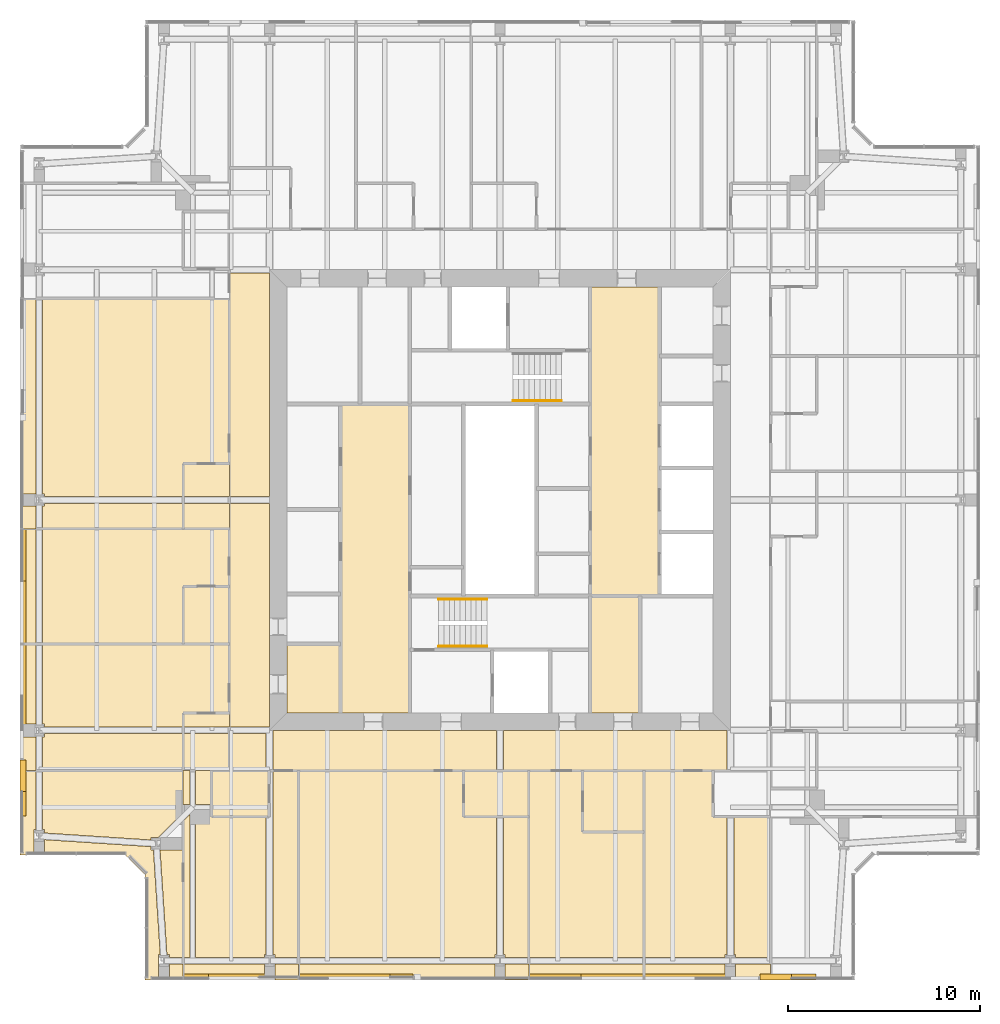
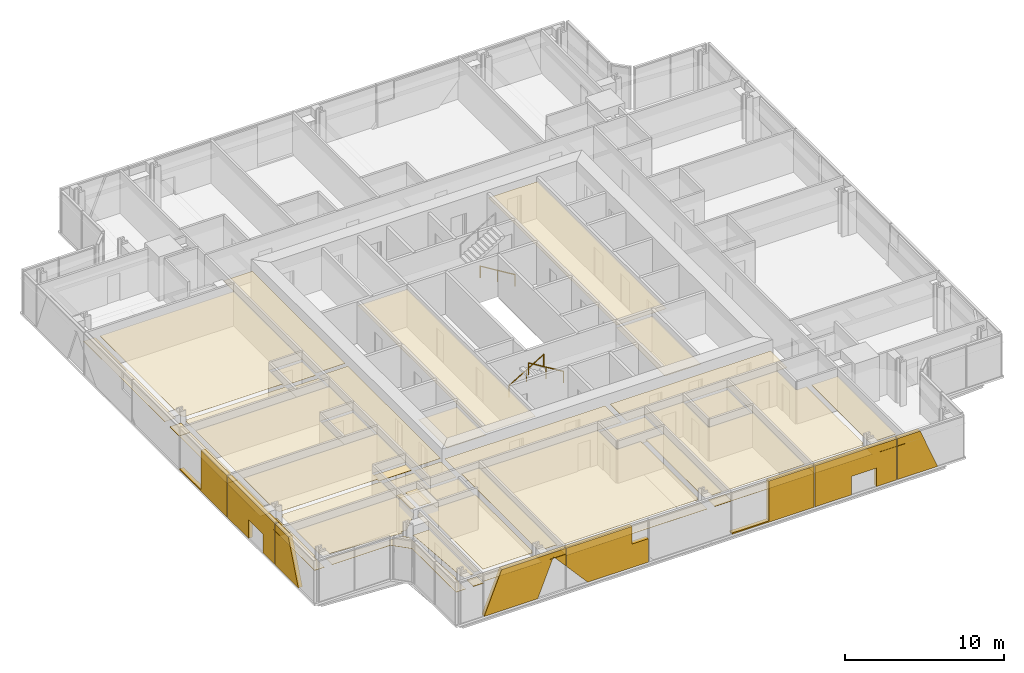
# One storey, part 16 of 18: 57 coverings, 3 railings.
"""IFC4 building model written with IfcOpenShell, lengths in metres."""

from ifc_helpers import new_model, si_unit, direction, frame, origin, origin_2d, place, context, subcontext, project, spatial, polyline, circle, outline, extrude, material, layer, layer_set, type_object, element, save


model = new_model("IFC4")

# Units and contexts
model_context = context("Model", 3, precision=1e-05, world=origin(), true_north=direction((0.0, 1.0)))
body_context = subcontext(model_context, "Body", "Model", "MODEL_VIEW")
ifc_project = project(units=[si_unit("LENGTHUNIT", "METRE"), si_unit("AREAUNIT", "SQUARE_METRE"), si_unit("VOLUMEUNIT", "CUBIC_METRE"), si_unit("PLANEANGLEUNIT", "RADIAN"), si_unit("MASSUNIT", "GRAM", prefix="KILO")], contexts=[model_context])

# Site, building, storey
site_placement = place(None, origin())
site = spatial("IfcSite", under=ifc_project, at=site_placement, CompositionType="ELEMENT")
building_placement = place(site_placement, origin())
building = spatial("IfcBuilding", under=site, at=building_placement, Name="Fenwick Lantern Interchange", CompositionType="ELEMENT")
storey_placement = place(building_placement, frame((0.0, 0.0, 262.800048828125)))
storey = spatial("IfcBuildingStorey", under=building, at=storey_placement, Name="L62", CompositionType="ELEMENT", Elevation=262.800048828125)

# Coverings
ifc_material_1 = material(Name="Granite cladding, warm grey flamed finish, on aluminium carrier frame", Category="masonry")
ifc_layer_1 = layer(ifc_material_1, 0.300048828125)
ifc_layer_set_1 = layer_set([ifc_layer_1], Name="BRACE CASING PANEL 300")
covering_type_1 = type_object("IfcCoveringType", Name="BRACE CASING PANEL 300", PredefinedType="CLADDING", material=ifc_layer_set_1)
covering_1_placement = place(storey_placement, frame((6.60009765625, 0.10009765625, 0.0), z_axis=(0.0, 0.0, 1.0), x_axis=(1.0, 0.0, 0.0)))
element("IfcCovering", 1, at=covering_1_placement, inside=storey, type_object=covering_type_1, Name="Brace casing 01 bay 01a", PredefinedType="CLADDING", context=body_context, shape_type="SweptSolid", body=[
    extrude(outline(polyline([(1.953369140625, 0.0), (5.836669921875, 0.0), (6.97705078125, 2.819580078125), (7.8701171875, 1.807373046875), (7.8701171875, 3.14990234375), (3.227294921875, 3.14990234375), (1.953369140625, 0.0)])), frame((0.0, 0.2099609375, 0.0), z_axis=(0.0, -1.0, 0.0), x_axis=(1.0, 0.0, 0.0)), (0.0, 0.0, 1.0), 0.300048828125),
])
covering_2_placement = place(storey_placement, frame((6.60009765625, 0.10009765625, 0.0), z_axis=(0.0, 0.0, 1.0), x_axis=(1.0, 0.0, 0.0)))
element("IfcCovering", 2, at=covering_2_placement, inside=storey, type_object=covering_type_1, Name="Brace casing 01 bay 02a", PredefinedType="CLADDING", context=body_context, shape_type="SweptSolid", body=[
    extrude(outline(polyline([(9.46484375, 0.0), (13.8701171875, 0.0), (13.8701171875, 1.80126953125), (12.67626953125, 1.80126953125), (12.67626953125, 3.14990234375), (7.929931640625, 3.14990234375), (7.929931640625, 1.7392578125), (9.46484375, 0.0)])), frame((0.0, 0.2099609375, 0.0), z_axis=(0.0, -1.0, 0.0), x_axis=(1.0, 0.0, 0.0)), (0.0, 0.0, 1.0), 0.300048828125),
])
covering_3_placement = place(storey_placement, frame((6.60009765625, 0.10009765625, 0.0), z_axis=(0.0, 0.0, 1.0), x_axis=(1.0, 0.0, 0.0)))
element("IfcCovering", 3, at=covering_3_placement, inside=storey, type_object=covering_type_1, Name="Brace casing 01 bay 04a", PredefinedType="CLADDING", context=body_context, shape_type="SweptSolid", body=[
    extrude(outline(polyline([(19.929931640625, 0.0), (25.8701171875, 0.0), (25.8701171875, 3.14990234375), (22.6201171875, 3.14990234375), (22.6201171875, 0.09716796875), (19.929931640625, 0.09716796875), (19.929931640625, 0.0)])), frame((0.0, 0.2099609375, 0.0), z_axis=(0.0, -1.0, 0.0), x_axis=(1.0, 0.0, 0.0)), (0.0, 0.0, 1.0), 0.300048828125),
])
covering_4_placement = place(storey_placement, frame((6.60009765625, 0.10009765625, 0.0), z_axis=(0.0, 0.0, 1.0), x_axis=(1.0, 0.0, 0.0)))
element("IfcCovering", 4, at=covering_4_placement, inside=storey, type_object=covering_type_1, Name="Brace casing 01 bay 05a", PredefinedType="CLADDING", context=body_context, shape_type="SweptSolid", body=[
    extrude(outline(polyline([(25.929931640625, 0.0), (28.585205078125, 0.0), (28.585205078125, 1.416748046875), (30.39013671875, 1.416748046875), (30.39013671875, 0.0), (31.8701171875, 0.0), (31.8701171875, 3.14990234375), (25.929931640625, 3.14990234375), (25.929931640625, 0.0)])), frame((0.0, 0.2099609375, 0.0), z_axis=(0.0, -1.0, 0.0), x_axis=(1.0, 0.0, 0.0)), (0.0, 0.0, 1.0), 0.300048828125),
])
covering_5_placement = place(storey_placement, frame((6.60009765625, 0.10009765625, 0.0), z_axis=(0.0, 0.0, 1.0), x_axis=(1.0, 0.0, 0.0)))
element("IfcCovering", 5, at=covering_5_placement, inside=storey, type_object=covering_type_1, Name="Brace casing 01 bay 06a", PredefinedType="CLADDING", context=body_context, shape_type="SweptSolid", body=[
    extrude(outline(polyline([(31.929931640625, 0.0), (34.846435546875, 0.0), (33.57275390625, 3.14990234375), (31.929931640625, 3.14990234375), (31.929931640625, 0.0)])), frame((0.0, 0.2099609375, 0.0), z_axis=(0.0, -1.0, 0.0), x_axis=(1.0, 0.0, 0.0)), (0.0, 0.0, 1.0), 0.300048828125),
])
covering_6_placement = place(storey_placement, frame((0.10009765625, 43.39990234375, 0.0), z_axis=(0.0, 0.0, 1.0), x_axis=(0.0, -1.0, 0.0)))
element("IfcCovering", 6, at=covering_6_placement, inside=storey, type_object=covering_type_1, Name="Brace casing 13 bay 04a", PredefinedType="CLADDING", context=body_context, shape_type="SweptSolid", body=[
    extrude(outline(polyline([(19.929931640625, 0.0), (25.8701171875, 0.0), (25.8701171875, 3.14990234375), (22.6201171875, 3.14990234375), (22.6201171875, 0.09716796875), (19.929931640625, 0.09716796875), (19.929931640625, 0.0)])), frame((0.0, 0.2099609375, 0.0), z_axis=(0.0, -1.0, 0.0), x_axis=(1.0, 0.0, 0.0)), (0.0, 0.0, 1.0), 0.300048828125),
])
covering_7_placement = place(storey_placement, frame((0.10009765625, 43.39990234375, 0.0), z_axis=(0.0, 0.0, 1.0), x_axis=(0.0, -1.0, 0.0)))
element("IfcCovering", 7, at=covering_7_placement, inside=storey, type_object=covering_type_1, Name="Brace casing 13 bay 05a", PredefinedType="CLADDING", context=body_context, shape_type="SweptSolid", body=[
    extrude(outline(polyline([(25.929931640625, 0.0), (28.585205078125, 0.0), (28.585205078125, 1.416748046875), (30.39013671875, 1.416748046875), (30.39013671875, 0.0), (31.8701171875, 0.0), (31.8701171875, 3.14990234375), (25.929931640625, 3.14990234375), (25.929931640625, 0.0)])), frame((0.0, 0.2099609375, 0.0), z_axis=(0.0, -1.0, 0.0), x_axis=(1.0, 0.0, 0.0)), (0.0, 0.0, 1.0), 0.300048828125),
])
covering_8_placement = place(storey_placement, frame((0.10009765625, 43.39990234375, 0.0), z_axis=(0.0, 0.0, 1.0), x_axis=(0.0, -1.0, 0.0)))
element("IfcCovering", 8, at=covering_8_placement, inside=storey, type_object=covering_type_1, Name="Brace casing 13 bay 06a", PredefinedType="CLADDING", context=body_context, shape_type="SweptSolid", body=[
    extrude(outline(polyline([(31.929931640625, 0.0), (34.846435546875, 0.0), (33.57275390625, 3.14990234375), (31.929931640625, 3.14990234375), (31.929931640625, 0.0)])), frame((0.0, 0.2099609375, 0.0), z_axis=(0.0, -1.0, 0.0), x_axis=(1.0, 0.0, 0.0)), (0.0, 0.0, 1.0), 0.300048828125),
])

# Railings
ifc_material_2 = material(Name="Stainless steel handrail", Category="steel")
railing_type = type_object("IfcRailingType", Name="HANDRAIL 900", PredefinedType="HANDRAIL", material=ifc_material_2)
railing_placement = place(storey_placement, frame((21.800048828125, 19.825927734375, 0.169921875)))
element("IfcRailing", 9, at=railing_placement, inside=storey, type_object=railing_type, Name="L62/STAIR/ST1/HR1", PredefinedType="HANDRAIL", context=body_context, shape_type="SweptSolid", body=[
    extrude(circle(Radius=0.02392578125, at=origin_2d()), frame((0.0, 0.0, 0.8759765625), z_axis=(0.85478489116, 0.0, 0.518982456201), x_axis=(0.0, 1.0, 0.0)), (0.0, 0.0, 1.0), 2.9482421875),
    extrude(circle(Radius=0.02099609375, at=origin_2d()), origin(), (0.0, 0.0, 1.0), 0.851806640625),
    extrude(circle(Radius=0.02099609375, at=origin_2d()), frame((1.260009765625, 0.0, 0.76513671875)), (0.0, 0.0, 1.0), 0.851806640625),
    extrude(circle(Radius=0.02099609375, at=origin_2d()), frame((2.52001953125, 0.0, 1.530029296875)), (0.0, 0.0, 1.0), 0.851806640625),
])
for number, where, name in (
    (10, (24.320068359375, 17.3740234375, 1.869873046875), "L62/STAIR/ST1/HR2"),
    (11, (28.199951171875, 30.174072265625, 0.169921875), "L62/STAIR/ST2/HR1"),
):
    element("IfcRailing", number, at=place(storey_placement, frame(where)), inside=storey, type_object=railing_type, Name=name, PredefinedType="HANDRAIL", context=body_context, shape_type="SweptSolid", body=[
        extrude(circle(Radius=0.02392578125, at=origin_2d()), frame((0.0, 0.0, 0.8759765625), z_axis=(-0.85478489116, 0.0, 0.518982456201), x_axis=(0.0, -1.0, 0.0)), (0.0, 0.0, 1.0), 2.9482421875),
        extrude(circle(Radius=0.02099609375, at=origin_2d()), origin(), (0.0, 0.0, 1.0), 0.851806640625),
        extrude(circle(Radius=0.02099609375, at=origin_2d()), frame((-1.260009765625, 0.0, 0.76513671875)), (0.0, 0.0, 1.0), 0.851806640625),
        extrude(circle(Radius=0.02099609375, at=origin_2d()), frame((-2.52001953125, 0.0, 1.530029296875)), (0.0, 0.0, 1.0), 0.851806640625),
    ])

# Coverings
ifc_material_3 = material(Name="Moisture resistant gypsum board on suspended frame, painted")
ifc_layer_2 = layer(ifc_material_3, 0.014892578125)
ifc_layer_set_2 = layer_set([ifc_layer_2], Name="MOISTURE RESISTANT CEILING 15")
covering_type_2 = type_object("IfcCoveringType", Name="MOISTURE RESISTANT CEILING 15", PredefinedType="CEILING", material=ifc_layer_set_2)
covering_9_placement = place(storey_placement, frame((0.0, 0.0, 2.599853515625)))
element("IfcCovering", 12, at=covering_9_placement, inside=storey, type_object=covering_type_2, Name="Men's WC ceiling", PredefinedType="CEILING", context=body_context, shape_type="SweptSolid", body=[
    extrude(outline(polyline([(29.699951171875, 13.89990234375), (32.300048828125, 13.89990234375), (32.300048828125, 20.0), (29.699951171875, 20.0), (29.699951171875, 13.89990234375)])), origin(), (0.0, 0.0, 1.0), 0.01513671875),
])
covering_10_placement = place(storey_placement, frame((0.0, 0.0, 2.599853515625)))
element("IfcCovering", 13, at=covering_10_placement, inside=storey, type_object=covering_type_2, Name="Accessible WC and shower ceiling", PredefinedType="CEILING", context=body_context, shape_type="SweptSolid", body=[
    extrude(outline(polyline([(13.89990234375, 13.89990234375), (16.699951171875, 13.89990234375), (16.699951171875, 17.5), (13.89990234375, 17.5), (13.89990234375, 13.89990234375)])), origin(), (0.0, 0.0, 1.0), 0.01513671875),
])
covering_11_placement = place(storey_placement, frame((0.0, 0.0, 2.39990234375)))
element("IfcCovering", 14, at=covering_11_placement, inside=storey, type_object=covering_type_2, Name="En-suite 6201 ceiling", PredefinedType="CEILING", context=body_context, shape_type="SweptSolid", body=[
    extrude(outline(polyline([(9.97509765625, 8.5), (12.97509765625, 8.5), (12.97509765625, 10.89990234375), (9.97509765625, 10.89990234375), (9.97509765625, 8.5)])), origin(), (0.0, 0.0, 1.0), 0.01513671875),
])
covering_12_placement = place(storey_placement, frame((0.0, 0.0, 2.39990234375)))
element("IfcCovering", 15, at=covering_12_placement, inside=storey, type_object=covering_type_2, Name="En-suite 6202 ceiling", PredefinedType="CEILING", context=body_context, shape_type="SweptSolid", body=[
    extrude(outline(polyline([(23.10009765625, 8.5), (26.5, 8.5), (26.5, 10.89990234375), (23.10009765625, 10.89990234375), (23.10009765625, 8.5)])), origin(), (0.0, 0.0, 1.0), 0.01513671875),
])
covering_13_placement = place(storey_placement, frame((0.0, 0.0, 2.39990234375)))
element("IfcCovering", 16, at=covering_13_placement, inside=storey, type_object=covering_type_2, Name="En-suite 6203 ceiling", PredefinedType="CEILING", context=body_context, shape_type="SweptSolid", body=[
    extrude(outline(polyline([(29.300048828125, 7.699951171875), (32.5, 7.699951171875), (32.5, 10.89990234375), (29.300048828125, 10.89990234375), (29.300048828125, 7.699951171875)])), origin(), (0.0, 0.0, 1.0), 0.01513671875),
])
covering_14_placement = place(storey_placement, frame((0.0, 0.0, 2.39990234375)))
element("IfcCovering", 17, at=covering_14_placement, inside=storey, type_object=covering_type_2, Name="En-suite 6214 ceiling", PredefinedType="CEILING", context=body_context, shape_type="SweptSolid", body=[
    extrude(outline(polyline([(8.5, 26.89990234375), (8.5, 25.175048828125), (10.89990234375, 25.175048828125), (10.89990234375, 26.89990234375), (8.5, 26.89990234375)])), origin(), (0.0, 0.0, 1.0), 0.01513671875),
])
covering_15_placement = place(storey_placement, frame((0.0, 0.0, 2.39990234375)))
element("IfcCovering", 18, at=covering_15_placement, inside=storey, type_object=covering_type_2, Name="En-suite 6214 ceiling", PredefinedType="CEILING", context=body_context, shape_type="SweptSolid", body=[
    extrude(outline(polyline([(10.89990234375, 23.5), (10.89990234375, 24.824951171875), (8.5, 24.824951171875), (8.5, 23.5), (10.89990234375, 23.5)])), origin(), (0.0, 0.0, 1.0), 0.01513671875),
])
covering_16_placement = place(storey_placement, frame((0.0, 0.0, 2.39990234375)))
element("IfcCovering", 19, at=covering_16_placement, inside=storey, type_object=covering_type_2, Name="En-suite 6215 ceiling", PredefinedType="CEILING", context=body_context, shape_type="SweptSolid", body=[
    extrude(outline(polyline([(8.5, 20.5), (8.5, 17.5), (10.89990234375, 17.5), (10.89990234375, 20.5), (8.5, 20.5)])), origin(), (0.0, 0.0, 1.0), 0.01513671875),
])
covering_17_placement = place(storey_placement, frame((0.0, 0.0, 2.39990234375)))
element("IfcCovering", 20, at=covering_17_placement, inside=storey, type_object=covering_type_2, Name="En-suite 6216 ceiling", PredefinedType="CEILING", context=body_context, shape_type="SweptSolid", body=[
    extrude(outline(polyline([(10.89990234375, 10.89990234375), (10.89990234375, 12.833984375), (8.5, 12.833984375), (8.5, 10.89990234375), (10.89990234375, 10.89990234375)])), origin(), (0.0, 0.0, 1.0), 0.01513671875),
])
covering_18_placement = place(storey_placement, frame((0.0, 0.0, 2.39990234375)))
element("IfcCovering", 21, at=covering_18_placement, inside=storey, type_object=covering_type_2, Name="En-suite 6216 ceiling", PredefinedType="CEILING", context=body_context, shape_type="SweptSolid", body=[
    extrude(outline(polyline([(8.5, 13.89990234375), (8.5, 13.166015625), (10.89990234375, 13.166015625), (10.89990234375, 13.89990234375), (8.5, 13.89990234375)])), origin(), (0.0, 0.0, 1.0), 0.01513671875),
])
ifc_material_4 = material(Name="Gypsum plasterboard on suspended frame, painted")
ifc_layer_3 = layer(ifc_material_4, 0.014892578125)
ifc_layer_set_3 = layer_set([ifc_layer_3], Name="PLASTERBOARD CEILING 15")
covering_type_3 = type_object("IfcCoveringType", Name="PLASTERBOARD CEILING 15", PredefinedType="CEILING", material=ifc_layer_set_3)
covering_19_placement = place(storey_placement, frame((0.0, 0.0, 2.800048828125)))
element("IfcCovering", 22, at=covering_19_placement, inside=storey, type_object=covering_type_3, Name="Lift lobby ceiling", PredefinedType="CEILING", context=body_context, shape_type="SweptSolid", body=[
    extrude(outline(polyline([(16.699951171875, 13.89990234375), (20.300048828125, 13.89990234375), (20.300048828125, 30.0), (16.699951171875, 30.0), (16.699951171875, 13.89990234375)])), origin(), (0.0, 0.0, 1.0), 0.014892578125),
])
covering_20_placement = place(storey_placement, frame((0.0, 0.0, 2.800048828125)))
element("IfcCovering", 23, at=covering_20_placement, inside=storey, type_object=covering_type_3, Name="Lift lobby ceiling", PredefinedType="CEILING", context=body_context, shape_type="SweptSolid", body=[
    extrude(outline(polyline([(33.300048828125, 36.10009765625), (29.699951171875, 36.10009765625), (29.699951171875, 20.0), (33.300048828125, 20.0), (33.300048828125, 36.10009765625)])), origin(), (0.0, 0.0, 1.0), 0.014892578125),
])
covering_21_placement = place(storey_placement, frame((0.0, 0.0, 2.57275390625)))
element("IfcCovering", 24, at=covering_21_placement, inside=storey, type_object=covering_type_3, Name="Corridor ceiling", PredefinedType="CEILING", context=body_context, shape_type="SweptSolid", body=[
    extrude(outline(polyline([(10.89990234375, 36.833984375), (10.89990234375, 25.175048828125), (13.0, 25.175048828125), (13.0, 36.833984375), (10.89990234375, 36.833984375)])), origin(), (0.0, 0.0, 1.0), 0.01513671875),
])
covering_22_placement = place(storey_placement, frame((0.0, 0.0, 2.57275390625)))
element("IfcCovering", 25, at=covering_22_placement, inside=storey, type_object=covering_type_3, Name="Corridor ceiling", PredefinedType="CEILING", context=body_context, shape_type="SweptSolid", body=[
    extrude(outline(polyline([(10.89990234375, 24.824951171875), (10.89990234375, 13.166015625), (13.0, 13.166015625), (13.0, 24.824951171875), (10.89990234375, 24.824951171875)])), origin(), (0.0, 0.0, 1.0), 0.01513671875),
])
covering_23_placement = place(storey_placement, frame((0.0, 0.0, 2.57275390625)))
element("IfcCovering", 26, at=covering_23_placement, inside=storey, type_object=covering_type_3, Name="Corridor ceiling", PredefinedType="CEILING", context=body_context, shape_type="SweptSolid", body=[
    extrude(outline(polyline([(13.183837890625, 10.89990234375), (24.816162109375, 10.89990234375), (24.816162109375, 13.0), (13.183837890625, 13.0), (13.183837890625, 10.89990234375)])), origin(), (0.0, 0.0, 1.0), 0.01513671875),
])
covering_24_placement = place(storey_placement, frame((0.0, 0.0, 2.57275390625)))
element("IfcCovering", 27, at=covering_24_placement, inside=storey, type_object=covering_type_3, Name="Corridor ceiling", PredefinedType="CEILING", context=body_context, shape_type="SweptSolid", body=[
    extrude(outline(polyline([(25.183837890625, 10.89990234375), (36.816162109375, 10.89990234375), (36.816162109375, 13.0), (25.183837890625, 13.0), (25.183837890625, 10.89990234375)])), origin(), (0.0, 0.0, 1.0), 0.01513671875),
])
covering_25_placement = place(storey_placement, frame((0.0, 0.0, 2.57275390625)))
element("IfcCovering", 28, at=covering_25_placement, inside=storey, type_object=covering_type_3, Name="Corridor ceiling", PredefinedType="CEILING", context=body_context, shape_type="SweptSolid", body=[
    extrude(outline(polyline([(10.89990234375, 10.89990234375), (12.816162109375, 10.89990234375), (12.816162109375, 12.833984375), (10.89990234375, 12.833984375), (10.89990234375, 10.89990234375)])), origin(), (0.0, 0.0, 1.0), 0.01513671875),
])
covering_26_placement = place(storey_placement, frame((0.0, 0.0, 2.57275390625)))
element("IfcCovering", 29, at=covering_26_placement, inside=storey, type_object=covering_type_3, Name="Guest suite 6201 sitting room ceiling", PredefinedType="CEILING", context=body_context, shape_type="SweptSolid", body=[
    extrude(outline(polyline([(1.17236328125, 7.83447265625), (1.27734375, 7.83447265625), (1.27734375, 7.654541015625), (6.82275390625, 7.291015625), (6.82275390625, 7.4345703125), (7.217529296875, 7.4345703125), (8.5, 8.716796875), (8.5, 10.89990234375), (1.17236328125, 10.89990234375), (1.17236328125, 7.83447265625)])), origin(), (0.0, 0.0, 1.0), 0.01513671875),
])
covering_27_placement = place(storey_placement, frame((0.0, 0.0, 2.57275390625)))
element("IfcCovering", 30, at=covering_27_placement, inside=storey, type_object=covering_type_3, Name="Guest suite 6201 sitting room ceiling", PredefinedType="CEILING", context=body_context, shape_type="SweptSolid", body=[
    extrude(outline(polyline([(6.82275390625, 6.765625), (6.82275390625, 6.9453125), (1.27734375, 7.30908203125), (1.27734375, 6.5), (5.5, 6.5), (6.5, 5.5), (6.5, 0.0), (7.22265625, 0.0), (7.22265625, 1.33447265625), (7.30517578125, 1.33447265625), (6.94921875, 6.765625), (6.82275390625, 6.765625)])), origin(), (0.0, 0.0, 1.0), 0.01513671875),
])
covering_28_placement = place(storey_placement, frame((0.0, 0.0, 2.57275390625)))
element("IfcCovering", 31, at=covering_28_placement, inside=storey, type_object=covering_type_3, Name="Guest suite 6201 sitting room ceiling", PredefinedType="CEILING", context=body_context, shape_type="SweptSolid", body=[
    extrude(outline(polyline([(8.5, 6.765625), (7.294677734375, 6.765625), (7.65087890625, 1.33447265625), (7.77734375, 1.33447265625), (7.77734375, 1.17236328125), (8.5, 1.17236328125), (8.5, 6.765625)])), origin(), (0.0, 0.0, 1.0), 0.01513671875),
])
covering_29_placement = place(storey_placement, frame((0.0, 0.0, 2.57275390625)))
element("IfcCovering", 32, at=covering_29_placement, inside=storey, type_object=covering_type_3, Name="Guest suite 6201 sitting room ceiling", PredefinedType="CEILING", context=body_context, shape_type="SweptSolid", body=[
    extrude(outline(polyline([(0.72265625, 7.83447265625), (0.82763671875, 7.83447265625), (0.82763671875, 10.89990234375), (0.0, 10.89990234375), (0.0, 6.5), (0.72265625, 6.5), (0.72265625, 7.83447265625)])), origin(), (0.0, 0.0, 1.0), 0.01513671875),
])
covering_30_placement = place(storey_placement, frame((0.0, 0.0, 2.57275390625)))
element("IfcCovering", 33, at=covering_30_placement, inside=storey, type_object=covering_type_3, Name="Guest suite 6201 sitting room ceiling", PredefinedType="CEILING", context=body_context, shape_type="SweptSolid", body=[
    extrude(outline(polyline([(8.5, 0.0), (8.5, 0.82763671875), (7.77734375, 0.82763671875), (7.77734375, 0.0), (8.5, 0.0)])), origin(), (0.0, 0.0, 1.0), 0.01513671875),
])
covering_31_placement = place(storey_placement, frame((0.0, 0.0, 2.699951171875)))
element("IfcCovering", 34, at=covering_31_placement, inside=storey, type_object=covering_type_3, Name="Guest suite 6201 bedroom ceiling", PredefinedType="CEILING", context=body_context, shape_type="SweptSolid", body=[
    extrude(outline(polyline([(12.72265625, 1.33447265625), (12.816162109375, 1.33447265625), (12.816162109375, 8.5), (9.97509765625, 8.5), (9.97509765625, 8.865478515625), (9.134521484375, 8.865478515625), (9.134521484375, 1.17236328125), (12.72265625, 1.17236328125), (12.72265625, 1.33447265625)])), origin(), (0.0, 0.0, 1.0), 0.014892578125),
])
covering_32_placement = place(storey_placement, frame((0.0, 0.0, 2.699951171875)))
element("IfcCovering", 35, at=covering_32_placement, inside=storey, type_object=covering_type_3, Name="Guest suite 6201 bedroom ceiling", PredefinedType="CEILING", context=body_context, shape_type="SweptSolid", body=[
    extrude(outline(polyline([(13.27734375, 1.33447265625), (13.27734375, 1.17236328125), (14.5, 1.17236328125), (14.5, 10.89990234375), (13.183837890625, 10.89990234375), (13.183837890625, 1.33447265625), (13.27734375, 1.33447265625)])), origin(), (0.0, 0.0, 1.0), 0.014892578125),
])
covering_33_placement = place(storey_placement, frame((0.0, 0.0, 2.699951171875)))
element("IfcCovering", 36, at=covering_33_placement, inside=storey, type_object=covering_type_3, Name="Guest suite 6201 bedroom ceiling", PredefinedType="CEILING", context=body_context, shape_type="SweptSolid", body=[
    extrude(outline(polyline([(12.72265625, 0.0), (12.72265625, 0.82763671875), (8.5, 0.82763671875), (8.5, 0.0), (12.72265625, 0.0)])), origin(), (0.0, 0.0, 1.0), 0.014892578125),
])
covering_34_placement = place(storey_placement, frame((0.0, 0.0, 2.699951171875)))
element("IfcCovering", 37, at=covering_34_placement, inside=storey, type_object=covering_type_3, Name="Guest suite 6201 bedroom ceiling", PredefinedType="CEILING", context=body_context, shape_type="SweptSolid", body=[
    extrude(outline(polyline([(8.5, 8.283203125), (8.5, 1.17236328125), (8.865478515625, 1.17236328125), (8.865478515625, 8.648681640625), (8.5, 8.283203125)])), origin(), (0.0, 0.0, 1.0), 0.014892578125),
])
covering_35_placement = place(storey_placement, frame((0.0, 0.0, 2.699951171875)))
element("IfcCovering", 38, at=covering_35_placement, inside=storey, type_object=covering_type_3, Name="Guest suite 6201 bedroom ceiling", PredefinedType="CEILING", context=body_context, shape_type="SweptSolid", body=[
    extrude(outline(polyline([(9.97509765625, 10.89990234375), (9.134521484375, 10.89990234375), (9.134521484375, 9.134521484375), (9.97509765625, 9.134521484375), (9.97509765625, 10.89990234375)])), origin(), (0.0, 0.0, 1.0), 0.014892578125),
])
covering_36_placement = place(storey_placement, frame((0.0, 0.0, 2.699951171875)))
element("IfcCovering", 39, at=covering_36_placement, inside=storey, type_object=covering_type_3, Name="Guest suite 6201 bedroom ceiling", PredefinedType="CEILING", context=body_context, shape_type="SweptSolid", body=[
    extrude(outline(polyline([(13.27734375, 0.0), (14.5, 0.0), (14.5, 0.82763671875), (13.27734375, 0.82763671875), (13.27734375, 0.0)])), origin(), (0.0, 0.0, 1.0), 0.014892578125),
])
covering_37_placement = place(storey_placement, frame((0.0, 0.0, 2.699951171875)))
element("IfcCovering", 40, at=covering_37_placement, inside=storey, type_object=covering_type_3, Name="Guest suite 6201 bedroom ceiling", PredefinedType="CEILING", context=body_context, shape_type="SweptSolid", body=[
    extrude(outline(polyline([(8.5, 10.89990234375), (8.5, 9.134521484375), (8.865478515625, 9.134521484375), (8.865478515625, 10.89990234375), (8.5, 10.89990234375)])), origin(), (0.0, 0.0, 1.0), 0.014892578125),
])
covering_38_placement = place(storey_placement, frame((0.0, 0.0, 2.57275390625)))
element("IfcCovering", 41, at=covering_38_placement, inside=storey, type_object=covering_type_3, Name="Guest suite 6202 ceiling", PredefinedType="CEILING", context=body_context, shape_type="SweptSolid", body=[
    extrude(outline(polyline([(24.72900390625, 1.3154296875), (24.816162109375, 1.3154296875), (24.816162109375, 8.5), (23.10009765625, 8.5), (23.10009765625, 10.89990234375), (14.5, 10.89990234375), (14.5, 1.17236328125), (24.72900390625, 1.17236328125), (24.72900390625, 1.3154296875)])), origin(), (0.0, 0.0, 1.0), 0.01513671875),
])
covering_39_placement = place(storey_placement, frame((0.0, 0.0, 2.57275390625)))
element("IfcCovering", 42, at=covering_39_placement, inside=storey, type_object=covering_type_3, Name="Guest suite 6202 ceiling", PredefinedType="CEILING", context=body_context, shape_type="SweptSolid", body=[
    extrude(outline(polyline([(25.27099609375, 1.3154296875), (25.27099609375, 1.17236328125), (26.5, 1.17236328125), (26.5, 8.5), (25.183837890625, 8.5), (25.183837890625, 1.3154296875), (25.27099609375, 1.3154296875)])), origin(), (0.0, 0.0, 1.0), 0.01513671875),
])
covering_40_placement = place(storey_placement, frame((0.0, 0.0, 2.57275390625)))
element("IfcCovering", 43, at=covering_40_placement, inside=storey, type_object=covering_type_3, Name="Guest suite 6202 ceiling", PredefinedType="CEILING", context=body_context, shape_type="SweptSolid", body=[
    extrude(outline(polyline([(24.72900390625, 0.0), (24.72900390625, 0.82763671875), (14.5, 0.82763671875), (14.5, 0.0), (24.72900390625, 0.0)])), origin(), (0.0, 0.0, 1.0), 0.01513671875),
])
covering_41_placement = place(storey_placement, frame((0.0, 0.0, 2.57275390625)))
element("IfcCovering", 44, at=covering_41_placement, inside=storey, type_object=covering_type_3, Name="Guest suite 6202 ceiling", PredefinedType="CEILING", context=body_context, shape_type="SweptSolid", body=[
    extrude(outline(polyline([(25.27099609375, 0.82763671875), (25.27099609375, 0.0), (26.5, 0.0), (26.5, 0.82763671875), (25.27099609375, 0.82763671875)])), origin(), (0.0, 0.0, 1.0), 0.01513671875),
])
covering_42_placement = place(storey_placement, frame((0.0, 0.0, 2.57275390625)))
element("IfcCovering", 45, at=covering_42_placement, inside=storey, type_object=covering_type_3, Name="Guest room 6203 ceiling", PredefinedType="CEILING", context=body_context, shape_type="SweptSolid", body=[
    extrude(outline(polyline([(26.5, 10.89990234375), (26.5, 1.17236328125), (32.5, 1.17236328125), (32.5, 7.699951171875), (29.300048828125, 7.699951171875), (29.300048828125, 10.89990234375), (26.5, 10.89990234375)])), origin(), (0.0, 0.0, 1.0), 0.01513671875),
])
covering_43_placement = place(storey_placement, frame((0.0, 0.0, 2.57275390625)))
element("IfcCovering", 46, at=covering_43_placement, inside=storey, type_object=covering_type_3, Name="Guest room 6203 ceiling", PredefinedType="CEILING", context=body_context, shape_type="SweptSolid", body=[
    extrude(outline(polyline([(26.5, 0.0), (32.5, 0.0), (32.5, 0.82763671875), (26.5, 0.82763671875), (26.5, 0.0)])), origin(), (0.0, 0.0, 1.0), 0.01513671875),
])
covering_44_placement = place(storey_placement, frame((0.0, 0.0, 2.57275390625)))
element("IfcCovering", 47, at=covering_44_placement, inside=storey, type_object=covering_type_3, Name="Guest room 6204 ceiling", PredefinedType="CEILING", context=body_context, shape_type="SweptSolid", body=[
    extrude(outline(polyline([(36.72265625, 1.33447265625), (36.816162109375, 1.33447265625), (36.816162109375, 8.5), (36.10009765625, 8.5), (36.10009765625, 10.89990234375), (32.5, 10.89990234375), (32.5, 1.17236328125), (36.72265625, 1.17236328125), (36.72265625, 1.33447265625)])), origin(), (0.0, 0.0, 1.0), 0.01513671875),
])
covering_45_placement = place(storey_placement, frame((0.0, 0.0, 2.57275390625)))
element("IfcCovering", 48, at=covering_45_placement, inside=storey, type_object=covering_type_3, Name="Guest room 6204 ceiling", PredefinedType="CEILING", context=body_context, shape_type="SweptSolid", body=[
    extrude(outline(polyline([(37.27734375, 1.33447265625), (37.27734375, 1.17236328125), (39.10009765625, 1.17236328125), (39.10009765625, 8.5), (37.183837890625, 8.5), (37.183837890625, 1.33447265625), (37.27734375, 1.33447265625)])), origin(), (0.0, 0.0, 1.0), 0.01513671875),
])
covering_46_placement = place(storey_placement, frame((0.0, 0.0, 2.57275390625)))
element("IfcCovering", 49, at=covering_46_placement, inside=storey, type_object=covering_type_3, Name="Guest room 6204 ceiling", PredefinedType="CEILING", context=body_context, shape_type="SweptSolid", body=[
    extrude(outline(polyline([(36.72265625, 0.0), (36.72265625, 0.82763671875), (32.5, 0.82763671875), (32.5, 0.0), (36.72265625, 0.0)])), origin(), (0.0, 0.0, 1.0), 0.01513671875),
])
covering_47_placement = place(storey_placement, frame((0.0, 0.0, 2.57275390625)))
element("IfcCovering", 50, at=covering_47_placement, inside=storey, type_object=covering_type_3, Name="Guest room 6204 ceiling", PredefinedType="CEILING", context=body_context, shape_type="SweptSolid", body=[
    extrude(outline(polyline([(37.27734375, 0.82763671875), (37.27734375, 0.0), (39.10009765625, 0.0), (39.10009765625, 0.82763671875), (37.27734375, 0.82763671875)])), origin(), (0.0, 0.0, 1.0), 0.01513671875),
])
covering_48_placement = place(storey_placement, frame((0.0, 0.0, 2.57275390625)))
element("IfcCovering", 51, at=covering_48_placement, inside=storey, type_object=covering_type_3, Name="Guest suite 6214 ceiling", PredefinedType="CEILING", context=body_context, shape_type="SweptSolid", body=[
    extrude(outline(polyline([(1.27099609375, 25.3154296875), (1.27099609375, 25.175048828125), (8.5, 25.175048828125), (8.5, 26.89990234375), (10.89990234375, 26.89990234375), (10.89990234375, 35.5), (1.17236328125, 35.5), (1.17236328125, 25.3154296875), (1.27099609375, 25.3154296875)])), origin(), (0.0, 0.0, 1.0), 0.01513671875),
])
covering_49_placement = place(storey_placement, frame((0.0, 0.0, 2.57275390625)))
element("IfcCovering", 52, at=covering_49_placement, inside=storey, type_object=covering_type_3, Name="Guest suite 6214 ceiling", PredefinedType="CEILING", context=body_context, shape_type="SweptSolid", body=[
    extrude(outline(polyline([(1.27099609375, 24.6845703125), (1.17236328125, 24.6845703125), (1.17236328125, 23.5), (8.5, 23.5), (8.5, 24.824951171875), (1.27099609375, 24.824951171875), (1.27099609375, 24.6845703125)])), origin(), (0.0, 0.0, 1.0), 0.01513671875),
])
covering_50_placement = place(storey_placement, frame((0.0, 0.0, 2.57275390625)))
element("IfcCovering", 53, at=covering_50_placement, inside=storey, type_object=covering_type_3, Name="Guest suite 6214 ceiling", PredefinedType="CEILING", context=body_context, shape_type="SweptSolid", body=[
    extrude(outline(polyline([(0.0, 25.3154296875), (0.82763671875, 25.3154296875), (0.82763671875, 35.5), (0.0, 35.5), (0.0, 25.3154296875)])), origin(), (0.0, 0.0, 1.0), 0.01513671875),
])
covering_51_placement = place(storey_placement, frame((0.0, 0.0, 2.57275390625)))
element("IfcCovering", 54, at=covering_51_placement, inside=storey, type_object=covering_type_3, Name="Guest suite 6214 ceiling", PredefinedType="CEILING", context=body_context, shape_type="SweptSolid", body=[
    extrude(outline(polyline([(0.82763671875, 24.6845703125), (0.0, 24.6845703125), (0.0, 23.5), (0.82763671875, 23.5), (0.82763671875, 24.6845703125)])), origin(), (0.0, 0.0, 1.0), 0.01513671875),
])
covering_52_placement = place(storey_placement, frame((0.0, 0.0, 2.57275390625)))
element("IfcCovering", 55, at=covering_52_placement, inside=storey, type_object=covering_type_3, Name="Guest room 6215 ceiling", PredefinedType="CEILING", context=body_context, shape_type="SweptSolid", body=[
    extrude(outline(polyline([(10.89990234375, 23.5), (1.17236328125, 23.5), (1.17236328125, 17.5), (8.5, 17.5), (8.5, 20.5), (10.89990234375, 20.5), (10.89990234375, 23.5)])), origin(), (0.0, 0.0, 1.0), 0.01513671875),
])
covering_53_placement = place(storey_placement, frame((0.0, 0.0, 2.57275390625)))
element("IfcCovering", 56, at=covering_53_placement, inside=storey, type_object=covering_type_3, Name="Guest room 6215 ceiling", PredefinedType="CEILING", context=body_context, shape_type="SweptSolid", body=[
    extrude(outline(polyline([(0.0, 23.5), (0.0, 17.5), (0.82763671875, 17.5), (0.82763671875, 23.5), (0.0, 23.5)])), origin(), (0.0, 0.0, 1.0), 0.01513671875),
])
covering_54_placement = place(storey_placement, frame((0.0, 0.0, 2.57275390625)))
element("IfcCovering", 57, at=covering_54_placement, inside=storey, type_object=covering_type_3, Name="Guest room 6216 ceiling", PredefinedType="CEILING", context=body_context, shape_type="SweptSolid", body=[
    extrude(outline(polyline([(1.27734375, 13.33447265625), (1.27734375, 13.166015625), (8.5, 13.166015625), (8.5, 13.89990234375), (10.89990234375, 13.89990234375), (10.89990234375, 17.5), (1.17236328125, 17.5), (1.17236328125, 13.33447265625), (1.27734375, 13.33447265625)])), origin(), (0.0, 0.0, 1.0), 0.01513671875),
])
covering_55_placement = place(storey_placement, frame((0.0, 0.0, 2.57275390625)))
element("IfcCovering", 58, at=covering_55_placement, inside=storey, type_object=covering_type_3, Name="Guest room 6216 ceiling", PredefinedType="CEILING", context=body_context, shape_type="SweptSolid", body=[
    extrude(outline(polyline([(1.27734375, 12.66552734375), (1.17236328125, 12.66552734375), (1.17236328125, 10.89990234375), (8.5, 10.89990234375), (8.5, 12.833984375), (1.27734375, 12.833984375), (1.27734375, 12.66552734375)])), origin(), (0.0, 0.0, 1.0), 0.01513671875),
])
covering_56_placement = place(storey_placement, frame((0.0, 0.0, 2.57275390625)))
element("IfcCovering", 59, at=covering_56_placement, inside=storey, type_object=covering_type_3, Name="Guest room 6216 ceiling", PredefinedType="CEILING", context=body_context, shape_type="SweptSolid", body=[
    extrude(outline(polyline([(0.0, 13.33447265625), (0.82763671875, 13.33447265625), (0.82763671875, 17.5), (0.0, 17.5), (0.0, 13.33447265625)])), origin(), (0.0, 0.0, 1.0), 0.01513671875),
])
covering_57_placement = place(storey_placement, frame((0.0, 0.0, 2.57275390625)))
element("IfcCovering", 60, at=covering_57_placement, inside=storey, type_object=covering_type_3, Name="Guest room 6216 ceiling", PredefinedType="CEILING", context=body_context, shape_type="SweptSolid", body=[
    extrude(outline(polyline([(0.82763671875, 12.66552734375), (0.0, 12.66552734375), (0.0, 10.89990234375), (0.82763671875, 10.89990234375), (0.82763671875, 12.66552734375)])), origin(), (0.0, 0.0, 1.0), 0.01513671875),
])

save(model, "model.ifc")
